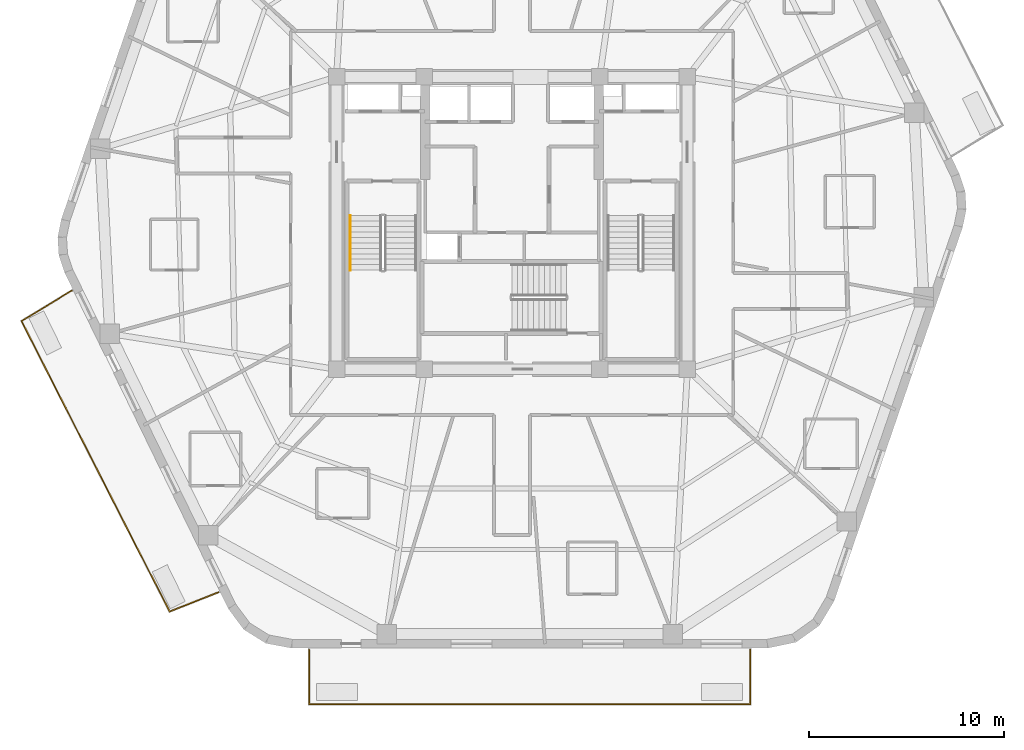
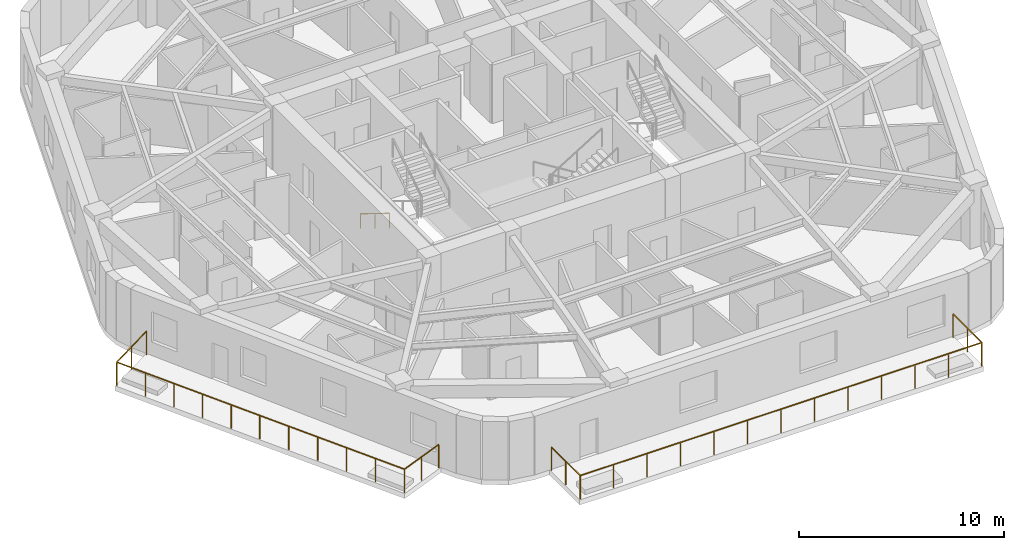
# One storey, part 8 of 10: 3 railings.
"""IFC4 building model written with IfcOpenShell, lengths in metres."""

from ifc_helpers import new_model, si_unit, direction, frame, origin, origin_2d, place, context, subcontext, project, spatial, rectangle, extrude, material, layer, layer_set, type_object, element, save


model = new_model("IFC4")

# Units and contexts
model_context = context("Model", 3, precision=1e-05, world=origin(), true_north=direction((0.0, 1.0)))
body_context = subcontext(model_context, "Body", "Model", "MODEL_VIEW")
ifc_project = project(units=[si_unit("LENGTHUNIT", "METRE"), si_unit("AREAUNIT", "SQUARE_METRE"), si_unit("VOLUMEUNIT", "CUBIC_METRE"), si_unit("PLANEANGLEUNIT", "RADIAN"), si_unit("MASSUNIT", "GRAM", prefix="KILO")], contexts=[model_context])

# Site, building, storey
site_placement = place(None, origin())
site = spatial("IfcSite", under=ifc_project, at=site_placement, CompositionType="ELEMENT")
building_placement = place(site_placement, origin())
building = spatial("IfcBuilding", under=site, at=building_placement, Name="Kilnhurst Terrace Hotel", CompositionType="ELEMENT")
storey_placement = place(building_placement, frame((0.0, 0.0, 252.10009765625)))
storey = spatial("IfcBuildingStorey", under=building, at=storey_placement, Name="L63", CompositionType="ELEMENT", Elevation=252.10009765625)

# Railings
ifc_material_1 = material(Name="Laminated SentryGlas and Stainless Steel AISI 316L Balustrade", Category="steel")
ifc_layer_1 = layer(ifc_material_1, 0.070068359375, Name="Laminated SentryGlas and Stainless Steel AISI 316L Balustrade")
ifc_layer_set_1 = layer_set([ifc_layer_1], Name="Laminated SentryGlas and Stainless Steel AISI 316L Balustrade")
railing_type_1 = type_object("IfcRailingType", Name="RLG-BAL-1420", PredefinedType="BALUSTRADE", material=ifc_layer_set_1)
railing_1_placement = place(storey_placement, frame((-15.0546875, -18.933349609375, 0.0)))
element("IfcRailing", 1, at=railing_1_placement, inside=storey, type_object=railing_type_1, Name="L63 Exterior Terrace Guardrail BAL-L2A.1", PredefinedType="BALUSTRADE", context=body_context, shape_type="SweptSolid", body=[
    extrude(rectangle(XDim=0.048095703125, YDim=0.048095703125, at=origin_2d()), frame((0.0, 0.0, 1.39599609375), z_axis=(-0.929913162101, -0.367779160574, 0.0), x_axis=(0.367779160574, -0.929913162101, 0.0)), (0.0, 0.0, 1.0), 2.694580078125),
    extrude(rectangle(XDim=0.048095703125, YDim=0.048095703125, at=origin_2d()), frame((-2.505615234375, -0.990966796875, 1.39599609375), z_axis=(-0.455129479154, 0.890425267614, 0.0), x_axis=(-0.890425267614, -0.455129479154, 0.0)), (0.0, 0.0, 1.0), 8.4072265625),
    extrude(rectangle(XDim=0.048095703125, YDim=0.048095703125, at=origin_2d()), frame((-6.33203125, 6.4951171875, 1.39599609375), z_axis=(-0.45338853952, 0.891312982196, 0.0), x_axis=(-0.891312982196, -0.45338853952, 0.0)), (0.0, 0.0, 1.0), 8.320068359375),
    extrude(rectangle(XDim=0.048095703125, YDim=0.048095703125, at=origin_2d()), frame((-10.104248046875, 13.910888671875, 1.39599609375), z_axis=(0.854990626614, 0.518643450168, 0.0), x_axis=(-0.518643450168, 0.854990626614, 0.0)), (0.0, 0.0, 1.0), 3.008056640625),
    extrude(rectangle(XDim=0.0419921875, YDim=0.0419921875, at=origin_2d()), origin(), (0.0, 0.0, 1.0), 1.371826171875),
    extrude(rectangle(XDim=0.0419921875, YDim=0.0419921875, at=origin_2d()), frame((-1.2529296875, -0.49560546875, 0.0)), (0.0, 0.0, 1.0), 1.371826171875),
    extrude(rectangle(XDim=0.0419921875, YDim=0.0419921875, at=origin_2d()), frame((-2.505615234375, -0.990966796875, 0.0)), (0.0, 0.0, 1.0), 1.371826171875),
    extrude(rectangle(XDim=0.0419921875, YDim=0.0419921875, at=origin_2d()), frame((-3.27099609375, 0.50634765625, 0.0)), (0.0, 0.0, 1.0), 1.371826171875),
    extrude(rectangle(XDim=0.0419921875, YDim=0.0419921875, at=origin_2d()), frame((-4.0361328125, 2.00341796875, 0.0)), (0.0, 0.0, 1.0), 1.371826171875),
    extrude(rectangle(XDim=0.0419921875, YDim=0.0419921875, at=origin_2d()), frame((-4.801513671875, 3.500732421875, 0.0)), (0.0, 0.0, 1.0), 1.371826171875),
    extrude(rectangle(XDim=0.0419921875, YDim=0.0419921875, at=origin_2d()), frame((-5.566650390625, 4.997802734375, 0.0)), (0.0, 0.0, 1.0), 1.371826171875),
    extrude(rectangle(XDim=0.0419921875, YDim=0.0419921875, at=origin_2d()), frame((-6.33203125, 6.4951171875, 0.0)), (0.0, 0.0, 1.0), 1.371826171875),
    extrude(rectangle(XDim=0.0419921875, YDim=0.0419921875, at=origin_2d()), frame((-7.08642578125, 7.978271484375, 0.0)), (0.0, 0.0, 1.0), 1.371826171875),
    extrude(rectangle(XDim=0.0419921875, YDim=0.0419921875, at=origin_2d()), frame((-7.8408203125, 9.46142578125, 0.0)), (0.0, 0.0, 1.0), 1.371826171875),
    extrude(rectangle(XDim=0.0419921875, YDim=0.0419921875, at=origin_2d()), frame((-8.595458984375, 10.944580078125, 0.0)), (0.0, 0.0, 1.0), 1.371826171875),
    extrude(rectangle(XDim=0.0419921875, YDim=0.0419921875, at=origin_2d()), frame((-9.349853515625, 12.427734375, 0.0)), (0.0, 0.0, 1.0), 1.371826171875),
    extrude(rectangle(XDim=0.0419921875, YDim=0.0419921875, at=origin_2d()), frame((-10.104248046875, 13.910888671875, 0.0)), (0.0, 0.0, 1.0), 1.371826171875),
    extrude(rectangle(XDim=0.0419921875, YDim=0.0419921875, at=origin_2d()), frame((-8.818359375, 14.69091796875, 0.0)), (0.0, 0.0, 1.0), 1.371826171875),
    extrude(rectangle(XDim=0.0419921875, YDim=0.0419921875, at=origin_2d()), frame((-7.532470703125, 15.470947265625, 0.0)), (0.0, 0.0, 1.0), 1.371826171875),
])
railing_2_placement = place(storey_placement, frame((12.21484375, -21.8798828125, 0.0)))
element("IfcRailing", 2, at=railing_2_placement, inside=storey, type_object=railing_type_1, Name="L63 Exterior Terrace Guardrail BAL-L2B.1", PredefinedType="BALUSTRADE", context=body_context, shape_type="SweptSolid", body=[
    extrude(rectangle(XDim=0.048095703125, YDim=0.048095703125, at=origin_2d()), frame((0.0, 0.0, 1.39599609375), z_axis=(0.0, -1.0, 0.0), x_axis=(1.0, 0.0, 0.0)), (0.0, 0.0, 1.0), 2.800048828125),
    extrude(rectangle(XDim=0.048095703125, YDim=0.048095703125, at=origin_2d()), frame((0.0, -2.800048828125, 1.39599609375), z_axis=(-1.0, 0.0, 0.0), x_axis=(0.0, -1.0, 0.0)), (0.0, 0.0, 1.0), 22.62353515625),
    extrude(rectangle(XDim=0.048095703125, YDim=0.048095703125, at=origin_2d()), frame((-22.62353515625, -2.800048828125, 1.39599609375), z_axis=(0.0, 1.0, 0.0), x_axis=(-1.0, 0.0, 0.0)), (0.0, 0.0, 1.0), 2.800048828125),
    extrude(rectangle(XDim=0.0419921875, YDim=0.0419921875, at=origin_2d()), origin(), (0.0, 0.0, 1.0), 1.371826171875),
    extrude(rectangle(XDim=0.0419921875, YDim=0.0419921875, at=origin_2d()), frame((0.0, -1.39990234375, 0.0)), (0.0, 0.0, 1.0), 1.371826171875),
    extrude(rectangle(XDim=0.0419921875, YDim=0.0419921875, at=origin_2d()), frame((0.0, -2.800048828125, 0.0)), (0.0, 0.0, 1.0), 1.371826171875),
    extrude(rectangle(XDim=0.0419921875, YDim=0.0419921875, at=origin_2d()), frame((-1.88525390625, -2.800048828125, 0.0)), (0.0, 0.0, 1.0), 1.371826171875),
    extrude(rectangle(XDim=0.0419921875, YDim=0.0419921875, at=origin_2d()), frame((-3.7705078125, -2.800048828125, 0.0)), (0.0, 0.0, 1.0), 1.371826171875),
    extrude(rectangle(XDim=0.0419921875, YDim=0.0419921875, at=origin_2d()), frame((-5.65576171875, -2.800048828125, 0.0)), (0.0, 0.0, 1.0), 1.371826171875),
    extrude(rectangle(XDim=0.0419921875, YDim=0.0419921875, at=origin_2d()), frame((-7.541259765625, -2.800048828125, 0.0)), (0.0, 0.0, 1.0), 1.371826171875),
    extrude(rectangle(XDim=0.0419921875, YDim=0.0419921875, at=origin_2d()), frame((-9.426513671875, -2.800048828125, 0.0)), (0.0, 0.0, 1.0), 1.371826171875),
    extrude(rectangle(XDim=0.0419921875, YDim=0.0419921875, at=origin_2d()), frame((-11.311767578125, -2.800048828125, 0.0)), (0.0, 0.0, 1.0), 1.371826171875),
    extrude(rectangle(XDim=0.0419921875, YDim=0.0419921875, at=origin_2d()), frame((-13.197021484375, -2.800048828125, 0.0)), (0.0, 0.0, 1.0), 1.371826171875),
    extrude(rectangle(XDim=0.0419921875, YDim=0.0419921875, at=origin_2d()), frame((-15.082275390625, -2.800048828125, 0.0)), (0.0, 0.0, 1.0), 1.371826171875),
    extrude(rectangle(XDim=0.0419921875, YDim=0.0419921875, at=origin_2d()), frame((-16.9677734375, -2.800048828125, 0.0)), (0.0, 0.0, 1.0), 1.371826171875),
    extrude(rectangle(XDim=0.0419921875, YDim=0.0419921875, at=origin_2d()), frame((-18.85302734375, -2.800048828125, 0.0)), (0.0, 0.0, 1.0), 1.371826171875),
    extrude(rectangle(XDim=0.0419921875, YDim=0.0419921875, at=origin_2d()), frame((-20.73828125, -2.800048828125, 0.0)), (0.0, 0.0, 1.0), 1.371826171875),
    extrude(rectangle(XDim=0.0419921875, YDim=0.0419921875, at=origin_2d()), frame((-22.62353515625, -2.800048828125, 0.0)), (0.0, 0.0, 1.0), 1.371826171875),
    extrude(rectangle(XDim=0.0419921875, YDim=0.0419921875, at=origin_2d()), frame((-22.62353515625, -1.39990234375, 0.0)), (0.0, 0.0, 1.0), 1.371826171875),
    extrude(rectangle(XDim=0.0419921875, YDim=0.0419921875, at=origin_2d()), frame((-22.62353515625, 0.0, 0.0)), (0.0, 0.0, 1.0), 1.371826171875),
])
ifc_material_2 = material(Name="Brushed Stainless Steel AISI 304", Category="steel")
ifc_layer_2 = layer(ifc_material_2, 0.048095703125, Name="Brushed Stainless Steel AISI 304")
ifc_layer_set_2 = layer_set([ifc_layer_2], Name="Brushed Stainless Steel AISI 304")
railing_type_2 = type_object("IfcRailingType", Name="RLG-ST-HRL-900", PredefinedType="HANDRAIL", material=ifc_layer_set_2)
railing_3_placement = place(storey_placement, frame((-8.300048828125, 0.389892578125, 0.172607421875)))
element("IfcRailing", 3, at=railing_3_placement, inside=storey, type_object=railing_type_2, Name="L63 ST-1 stair handrail 1", PredefinedType="HANDRAIL", context=body_context, shape_type="SweptSolid", body=[
    extrude(rectangle(XDim=0.048095703125, YDim=0.048095703125, at=origin_2d()), frame((0.0, 0.0, 0.8759765625), z_axis=(0.0, -0.851069175582, 0.525053576669), x_axis=(1.0, 0.0, 0.0)), (0.0, 0.0, 1.0), 3.289794921875),
    extrude(rectangle(XDim=0.0419921875, YDim=0.0419921875, at=origin_2d()), origin(), (0.0, 0.0, 1.0), 0.851806640625),
    extrude(rectangle(XDim=0.0419921875, YDim=0.0419921875, at=origin_2d()), frame((0.0, -1.39990234375, 0.86376953125)), (0.0, 0.0, 1.0), 0.851806640625),
    extrude(rectangle(XDim=0.0419921875, YDim=0.0419921875, at=origin_2d()), frame((0.0, -2.7998046875, 1.727294921875)), (0.0, 0.0, 1.0), 0.851806640625),
])

save(model, "model.ifc")
